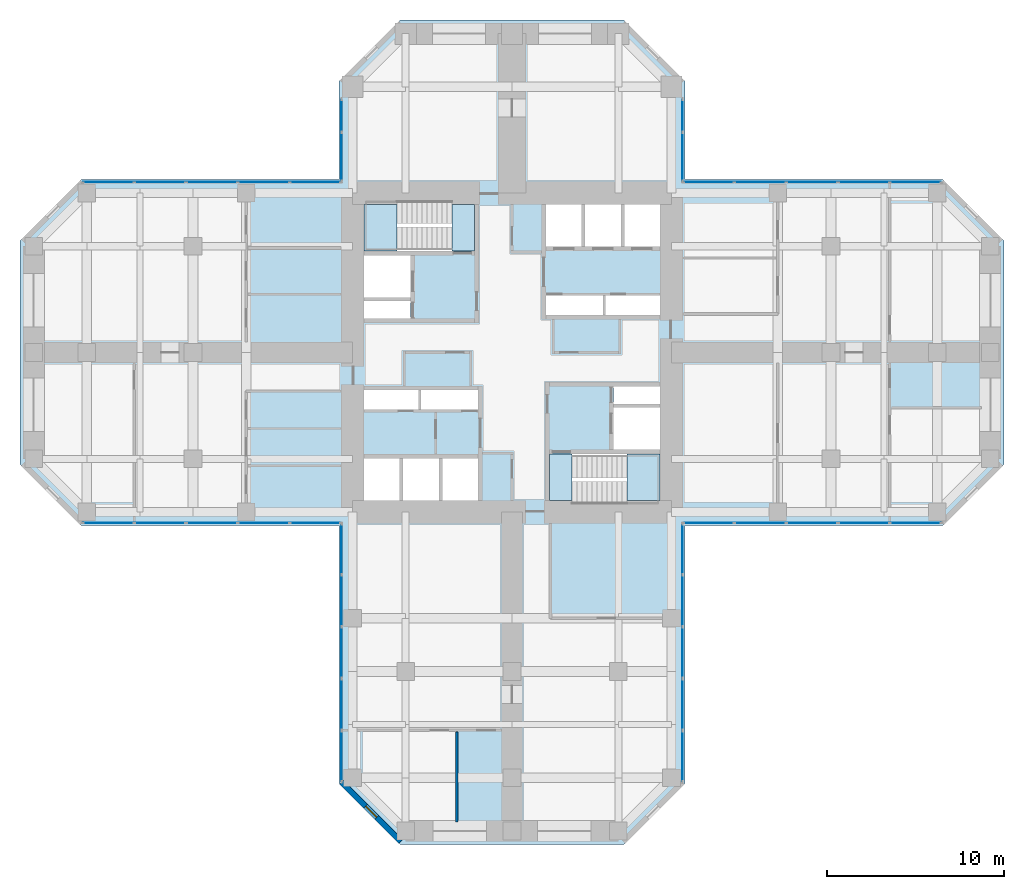
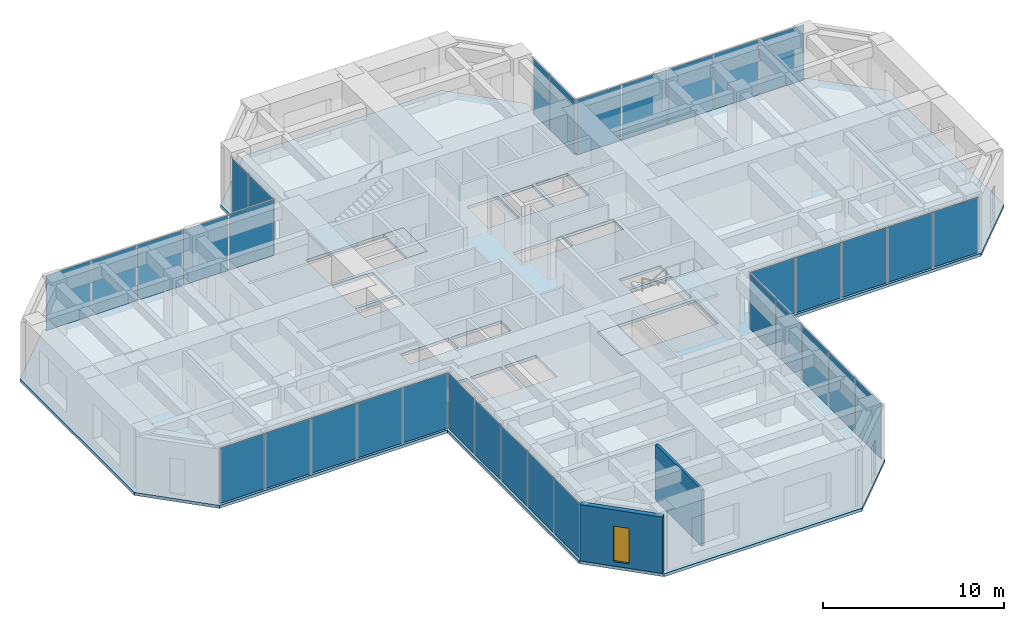
# One storey, part 7 of 12: 34 plates, 5 slabs, 2 walls, 1 window, 1 opening, 10 elements without a shape of their own.
"""IFC4 building model written with IfcOpenShell, lengths in metres."""

from ifc_helpers import new_model, si_unit, direction, frame, frame_2d, origin, origin_2d, place, context, subcontext, project, spatial, polyline, rectangle, hollow_rectangle, outline, extrude, material, layer, layer_set, constituent, constituent_set, type_object, element, fill, aggregate, save


model = new_model("IFC4")

# Units and contexts
model_context = context("Model", 3, precision=1e-05, world=origin(), true_north=direction((0.0, 1.0)))
body_context = subcontext(model_context, "Body", "Model", "MODEL_VIEW")
ifc_project = project(units=[si_unit("LENGTHUNIT", "METRE"), si_unit("AREAUNIT", "SQUARE_METRE"), si_unit("VOLUMEUNIT", "CUBIC_METRE"), si_unit("PLANEANGLEUNIT", "RADIAN"), si_unit("MASSUNIT", "GRAM", prefix="KILO")], contexts=[model_context])

# Site, building, storey
site_placement = place(None, origin())
site = spatial("IfcSite", under=ifc_project, at=site_placement, CompositionType="ELEMENT")
building_placement = place(site_placement, origin())
building = spatial("IfcBuilding", under=site, at=building_placement, Name="Torre Cruceta", CompositionType="ELEMENT")
storey_placement = place(building_placement, frame((0.0, 0.0, 112.5)))
storey = spatial("IfcBuildingStorey", under=building, at=storey_placement, Name="L27", CompositionType="ELEMENT", Elevation=112.5)

# Curtain wall, plate
ifc_material_1 = material(Name="Aluminium unitised curtain wall", Category="aluminium")
curtain_wall_type = type_object("IfcCurtainWallType", Name="CURTAIN WALL CW-B OFFICE MID RISE", PredefinedType="USERDEFINED", material=ifc_material_1)
curtain_wall_1_placement = place(storey_placement, origin())
curtain_wall_1 = element("IfcCurtainWall", 1, at=curtain_wall_1_placement, inside=storey, type_object=curtain_wall_type, Name="CW-B L27 E side 00", ObjectType="UNITISED", PredefinedType="USERDEFINED")
ifc_material_2 = material(Name="Laminated insulating glass unit, diagonal frit 50 %", Category="glass")
ifc_material_3 = material(Name="Laminated insulating glass unit, diagonal frit 50 %", Category="glass")
ifc_layer_1 = layer(ifc_material_3, 0.031982421875)
ifc_layer_set_1 = layer_set([ifc_layer_1], Name="Laminated insulating glass unit, diagonal frit 50 %")
plate_type_1 = type_object("IfcPlateType", Name="CW-B OPERABLE VENT PANEL 32", PredefinedType="CURTAIN_PANEL", material=ifc_layer_set_1)
plate_1_placement = place(storey_placement, frame((16.9384765625, -9.6201171875, 0.010009765625), z_axis=(0.0, 0.0, 1.0), x_axis=(1.0, 0.0, 0.0)))
plate_1 = element("IfcPlate", 2, at=plate_1_placement, type_object=plate_type_1, material=ifc_material_2, Name="CW-B vent 3", PredefinedType="CURTAIN_PANEL", context=body_context, shape_type="SweptSolid", body=[
    extrude(rectangle(XDim=2.8623046875, YDim=0.031982421875, at=origin_2d()), origin(), (0.0, 0.0, 1.0), 3.72509765625),
])

curtain_wall_2_placement = place(storey_placement, origin())
curtain_wall_2 = element("IfcCurtainWall", 3, at=curtain_wall_2_placement, inside=storey, type_object=curtain_wall_type, Name="CW-B L27 E side 04", ObjectType="UNITISED", PredefinedType="USERDEFINED")
plate_2_placement = place(storey_placement, frame((16.9384765625, 9.6201171875, 0.010009765625), z_axis=(0.0, 0.0, 1.0), x_axis=(-1.0, 0.0, 0.0)))
plate_2 = element("IfcPlate", 4, at=plate_2_placement, type_object=plate_type_1, material=ifc_material_2, Name="CW-B vent 3", PredefinedType="CURTAIN_PANEL", context=body_context, shape_type="SweptSolid", body=[
    extrude(rectangle(XDim=2.8623046875, YDim=0.031982421875, at=origin_2d()), origin(), (0.0, 0.0, 1.0), 3.72509765625),
])

curtain_wall_3_placement = place(storey_placement, origin())
curtain_wall_3 = element("IfcCurtainWall", 5, at=curtain_wall_3_placement, inside=storey, type_object=curtain_wall_type, Name="CW-B L27 W side 10", ObjectType="UNITISED", PredefinedType="USERDEFINED")
plate_3_placement = place(storey_placement, frame((-16.9384765625, 9.6201171875, 0.010009765625), z_axis=(0.0, 0.0, 1.0), x_axis=(-1.0, 0.0, 0.0)))
plate_3 = element("IfcPlate", 6, at=plate_3_placement, type_object=plate_type_1, material=ifc_material_2, Name="CW-B vent 3", PredefinedType="CURTAIN_PANEL", context=body_context, shape_type="SweptSolid", body=[
    extrude(rectangle(XDim=2.8623046875, YDim=0.031982421875, at=origin_2d()), origin(), (0.0, 0.0, 1.0), 3.72509765625),
])

curtain_wall_4_placement = place(storey_placement, origin())
curtain_wall_4 = element("IfcCurtainWall", 7, at=curtain_wall_4_placement, inside=storey, type_object=curtain_wall_type, Name="CW-B L27 W side 14", ObjectType="UNITISED", PredefinedType="USERDEFINED")
plate_4_placement = place(storey_placement, frame((-16.9384765625, -9.6201171875, 0.010009765625), z_axis=(0.0, 0.0, 1.0), x_axis=(1.0, 0.0, 0.0)))
plate_4 = element("IfcPlate", 8, at=plate_4_placement, type_object=plate_type_1, material=ifc_material_2, Name="CW-B vent 3", PredefinedType="CURTAIN_PANEL", context=body_context, shape_type="SweptSolid", body=[
    extrude(rectangle(XDim=2.8623046875, YDim=0.031982421875, at=origin_2d()), origin(), (0.0, 0.0, 1.0), 3.72509765625),
])

curtain_wall_5_placement = place(storey_placement, origin())
curtain_wall_5 = element("IfcCurtainWall", 9, at=curtain_wall_5_placement, inside=storey, type_object=curtain_wall_type, Name="CW-B L27 S side 15", ObjectType="UNITISED", PredefinedType="USERDEFINED")
plate_5_placement = place(storey_placement, frame((-9.6201171875, -16.9384765625, 0.010009765625), z_axis=(0.0, 0.0, 1.0), x_axis=(0.0, -1.0, 0.0)))
plate_5 = element("IfcPlate", 10, at=plate_5_placement, type_object=plate_type_1, material=ifc_material_2, Name="CW-B vent 3", PredefinedType="CURTAIN_PANEL", context=body_context, shape_type="SweptSolid", body=[
    extrude(rectangle(XDim=2.8623046875, YDim=0.031982421875, at=origin_2d()), origin(), (0.0, 0.0, 1.0), 3.72509765625),
])

curtain_wall_6_placement = place(storey_placement, origin())
curtain_wall_6 = element("IfcCurtainWall", 11, at=curtain_wall_6_placement, inside=storey, type_object=curtain_wall_type, Name="CW-B L27 S side 19", ObjectType="UNITISED", PredefinedType="USERDEFINED")
plate_6_placement = place(storey_placement, frame((9.6201171875, -16.9384765625, 0.010009765625), z_axis=(0.0, 0.0, 1.0), x_axis=(0.0, 1.0, 0.0)))
plate_6 = element("IfcPlate", 12, at=plate_6_placement, type_object=plate_type_1, material=ifc_material_2, Name="CW-B vent 3", PredefinedType="CURTAIN_PANEL", context=body_context, shape_type="SweptSolid", body=[
    extrude(rectangle(XDim=2.8623046875, YDim=0.031982421875, at=origin_2d()), origin(), (0.0, 0.0, 1.0), 3.72509765625),
])

# Plate
ifc_material_4 = material(Name="Laminated insulating glass unit, diagonal frit 50 %", Category="glass")
ifc_layer_2 = layer(ifc_material_4, 0.031982421875)
ifc_layer_set_2 = layer_set([ifc_layer_2], Name="Laminated insulating glass unit, diagonal frit 50 %")
plate_type_2 = type_object("IfcPlateType", Name="CW-B PANEL 32", PredefinedType="CURTAIN_PANEL", material=ifc_layer_set_2)
plate_7_placement = place(storey_placement, frame((11.099853515625, -9.6201171875, 0.010009765625), z_axis=(0.0, 0.0, 1.0), x_axis=(1.0, 0.0, 0.0)))
plate_7 = element("IfcPlate", 13, at=plate_7_placement, type_object=plate_type_2, material=ifc_material_2, Name="CW-B panel 1", PredefinedType="CURTAIN_PANEL", context=body_context, shape_type="SweptSolid", body=[
    extrude(rectangle(XDim=2.829833984375, YDim=0.031982421875, at=origin_2d()), origin(), (0.0, 0.0, 1.0), 3.72509765625),
])

plate_8_placement = place(storey_placement, frame((14.010986328125, -9.6201171875, 0.010009765625), z_axis=(0.0, 0.0, 1.0), x_axis=(1.0, 0.0, 0.0)))
plate_8 = element("IfcPlate", 14, at=plate_8_placement, type_object=plate_type_2, material=ifc_material_2, Name="CW-B panel 2", PredefinedType="CURTAIN_PANEL", context=body_context, shape_type="SweptSolid", body=[
    extrude(rectangle(XDim=2.8623046875, YDim=0.031982421875, at=origin_2d()), origin(), (0.0, 0.0, 1.0), 3.72509765625),
])

ifc_material_5 = material(Name="Laminated insulating glass unit, low-iron clear", Category="glass")
plate_9_placement = place(storey_placement, frame((19.86572265625, -9.6201171875, 0.010009765625), z_axis=(0.0, 0.0, 1.0), x_axis=(1.0, 0.0, 0.0)))
plate_9 = element("IfcPlate", 15, at=plate_9_placement, type_object=plate_type_2, material=ifc_material_5, Name="CW-B panel 4", PredefinedType="CURTAIN_PANEL", context=body_context, shape_type="SweptSolid", body=[
    extrude(rectangle(XDim=2.8623046875, YDim=0.031982421875, at=origin_2d()), origin(), (0.0, 0.0, 1.0), 3.72509765625),
])

plate_10_placement = place(storey_placement, frame((22.77685546875, -9.6201171875, 0.010009765625), z_axis=(0.0, 0.0, 1.0), x_axis=(1.0, 0.0, 0.0)))
plate_10 = element("IfcPlate", 16, at=plate_10_placement, type_object=plate_type_2, material=ifc_material_5, Name="CW-B panel 5", PredefinedType="CURTAIN_PANEL", context=body_context, shape_type="SweptSolid", body=[
    extrude(rectangle(XDim=2.829833984375, YDim=0.031982421875, at=origin_2d()), origin(), (0.0, 0.0, 1.0), 3.72509765625),
])

aggregate(curtain_wall_1, [plate_7, plate_8, plate_1, plate_9, plate_10])

plate_11_placement = place(storey_placement, frame((22.77685546875, 9.6201171875, 0.010009765625), z_axis=(0.0, 0.0, 1.0), x_axis=(-1.0, 0.0, 0.0)))
plate_11 = element("IfcPlate", 17, at=plate_11_placement, type_object=plate_type_2, material=ifc_material_2, Name="CW-B panel 1", PredefinedType="CURTAIN_PANEL", context=body_context, shape_type="SweptSolid", body=[
    extrude(rectangle(XDim=2.829833984375, YDim=0.031982421875, at=origin_2d()), origin(), (0.0, 0.0, 1.0), 3.72509765625),
])

plate_12_placement = place(storey_placement, frame((19.86572265625, 9.6201171875, 0.010009765625), z_axis=(0.0, 0.0, 1.0), x_axis=(-1.0, 0.0, 0.0)))
plate_12 = element("IfcPlate", 18, at=plate_12_placement, type_object=plate_type_2, material=ifc_material_2, Name="CW-B panel 2", PredefinedType="CURTAIN_PANEL", context=body_context, shape_type="SweptSolid", body=[
    extrude(rectangle(XDim=2.8623046875, YDim=0.031982421875, at=origin_2d()), origin(), (0.0, 0.0, 1.0), 3.72509765625),
])

plate_13_placement = place(storey_placement, frame((14.010986328125, 9.6201171875, 0.010009765625), z_axis=(0.0, 0.0, 1.0), x_axis=(-1.0, 0.0, 0.0)))
plate_13 = element("IfcPlate", 19, at=plate_13_placement, type_object=plate_type_2, material=ifc_material_5, Name="CW-B panel 4", PredefinedType="CURTAIN_PANEL", context=body_context, shape_type="SweptSolid", body=[
    extrude(rectangle(XDim=2.8623046875, YDim=0.031982421875, at=origin_2d()), origin(), (0.0, 0.0, 1.0), 3.72509765625),
])

plate_14_placement = place(storey_placement, frame((11.099853515625, 9.6201171875, 0.010009765625), z_axis=(0.0, 0.0, 1.0), x_axis=(-1.0, 0.0, 0.0)))
plate_14 = element("IfcPlate", 20, at=plate_14_placement, type_object=plate_type_2, material=ifc_material_5, Name="CW-B panel 5", PredefinedType="CURTAIN_PANEL", context=body_context, shape_type="SweptSolid", body=[
    extrude(rectangle(XDim=2.829833984375, YDim=0.031982421875, at=origin_2d()), origin(), (0.0, 0.0, 1.0), 3.72509765625),
])

aggregate(curtain_wall_2, [plate_11, plate_12, plate_2, plate_13, plate_14])

# Curtain wall, plates
curtain_wall_7_placement = place(storey_placement, origin())
curtain_wall_7 = element("IfcCurtainWall", 21, at=curtain_wall_7_placement, inside=storey, type_object=curtain_wall_type, Name="CW-B L27 N side 05", ObjectType="UNITISED", PredefinedType="USERDEFINED")
plate_15_placement = place(storey_placement, frame((9.6201171875, 11.04541015625, 0.010009765625), z_axis=(0.0, 0.0, 1.0), x_axis=(0.0, 1.0, 0.0)))
plate_15 = element("IfcPlate", 22, at=plate_15_placement, type_object=plate_type_2, material=ifc_material_2, Name="CW-B panel 1", PredefinedType="CURTAIN_PANEL", context=body_context, shape_type="SweptSolid", body=[
    extrude(rectangle(XDim=2.720947265625, YDim=0.031982421875, at=origin_2d()), origin(), (0.0, 0.0, 1.0), 3.72509765625),
])
plate_16_placement = place(storey_placement, frame((9.6201171875, 13.373779296875, 0.010009765625), z_axis=(0.0, 0.0, 1.0), x_axis=(0.0, 1.0, 0.0)))
plate_16 = element("IfcPlate", 23, at=plate_16_placement, type_object=plate_type_2, material=ifc_material_2, Name="CW-B panel 2", PredefinedType="CURTAIN_PANEL", context=body_context, shape_type="SweptSolid", body=[
    extrude(rectangle(XDim=1.8056640625, YDim=0.031982421875, at=origin_2d()), origin(), (0.0, 0.0, 1.0), 3.72509765625),
])
aggregate(curtain_wall_7, [plate_15, plate_16])

curtain_wall_8_placement = place(storey_placement, origin())
curtain_wall_8 = element("IfcCurtainWall", 24, at=curtain_wall_8_placement, inside=storey, type_object=curtain_wall_type, Name="CW-B L27 N side 09", ObjectType="UNITISED", PredefinedType="USERDEFINED")
plate_17_placement = place(storey_placement, frame((-9.6201171875, 13.373779296875, 0.010009765625), z_axis=(0.0, 0.0, 1.0), x_axis=(0.0, -1.0, 0.0)))
plate_17 = element("IfcPlate", 25, at=plate_17_placement, type_object=plate_type_2, material=ifc_material_2, Name="CW-B panel 1", PredefinedType="CURTAIN_PANEL", context=body_context, shape_type="SweptSolid", body=[
    extrude(rectangle(XDim=1.8056640625, YDim=0.031982421875, at=origin_2d()), origin(), (0.0, 0.0, 1.0), 3.72509765625),
])
plate_18_placement = place(storey_placement, frame((-9.6201171875, 11.04541015625, 0.010009765625), z_axis=(0.0, 0.0, 1.0), x_axis=(0.0, -1.0, 0.0)))
plate_18 = element("IfcPlate", 26, at=plate_18_placement, type_object=plate_type_2, material=ifc_material_2, Name="CW-B panel 2", PredefinedType="CURTAIN_PANEL", context=body_context, shape_type="SweptSolid", body=[
    extrude(rectangle(XDim=2.720947265625, YDim=0.031982421875, at=origin_2d()), origin(), (0.0, 0.0, 1.0), 3.72509765625),
])
aggregate(curtain_wall_8, [plate_17, plate_18])

# Plate
plate_19_placement = place(storey_placement, frame((-11.099853515625, 9.6201171875, 0.010009765625), z_axis=(0.0, 0.0, 1.0), x_axis=(-1.0, 0.0, 0.0)))
plate_19 = element("IfcPlate", 27, at=plate_19_placement, type_object=plate_type_2, material=ifc_material_2, Name="CW-B panel 1", PredefinedType="CURTAIN_PANEL", context=body_context, shape_type="SweptSolid", body=[
    extrude(rectangle(XDim=2.829833984375, YDim=0.031982421875, at=origin_2d()), origin(), (0.0, 0.0, 1.0), 3.72509765625),
])

plate_20_placement = place(storey_placement, frame((-14.010986328125, 9.6201171875, 0.010009765625), z_axis=(0.0, 0.0, 1.0), x_axis=(-1.0, 0.0, 0.0)))
plate_20 = element("IfcPlate", 28, at=plate_20_placement, type_object=plate_type_2, material=ifc_material_2, Name="CW-B panel 2", PredefinedType="CURTAIN_PANEL", context=body_context, shape_type="SweptSolid", body=[
    extrude(rectangle(XDim=2.8623046875, YDim=0.031982421875, at=origin_2d()), origin(), (0.0, 0.0, 1.0), 3.72509765625),
])

plate_21_placement = place(storey_placement, frame((-19.86572265625, 9.6201171875, 0.010009765625), z_axis=(0.0, 0.0, 1.0), x_axis=(-1.0, 0.0, 0.0)))
plate_21 = element("IfcPlate", 29, at=plate_21_placement, type_object=plate_type_2, material=ifc_material_5, Name="CW-B panel 4", PredefinedType="CURTAIN_PANEL", context=body_context, shape_type="SweptSolid", body=[
    extrude(rectangle(XDim=2.8623046875, YDim=0.031982421875, at=origin_2d()), origin(), (0.0, 0.0, 1.0), 3.72509765625),
])

plate_22_placement = place(storey_placement, frame((-22.77685546875, 9.6201171875, 0.010009765625), z_axis=(0.0, 0.0, 1.0), x_axis=(-1.0, 0.0, 0.0)))
plate_22 = element("IfcPlate", 30, at=plate_22_placement, type_object=plate_type_2, material=ifc_material_5, Name="CW-B panel 5", PredefinedType="CURTAIN_PANEL", context=body_context, shape_type="SweptSolid", body=[
    extrude(rectangle(XDim=2.829833984375, YDim=0.031982421875, at=origin_2d()), origin(), (0.0, 0.0, 1.0), 3.72509765625),
])

aggregate(curtain_wall_3, [plate_19, plate_20, plate_3, plate_21, plate_22])

plate_23_placement = place(storey_placement, frame((-22.77685546875, -9.6201171875, 0.010009765625), z_axis=(0.0, 0.0, 1.0), x_axis=(1.0, 0.0, 0.0)))
plate_23 = element("IfcPlate", 31, at=plate_23_placement, type_object=plate_type_2, material=ifc_material_2, Name="CW-B panel 1", PredefinedType="CURTAIN_PANEL", context=body_context, shape_type="SweptSolid", body=[
    extrude(rectangle(XDim=2.829833984375, YDim=0.031982421875, at=origin_2d()), origin(), (0.0, 0.0, 1.0), 3.72509765625),
])

plate_24_placement = place(storey_placement, frame((-19.86572265625, -9.6201171875, 0.010009765625), z_axis=(0.0, 0.0, 1.0), x_axis=(1.0, 0.0, 0.0)))
plate_24 = element("IfcPlate", 32, at=plate_24_placement, type_object=plate_type_2, material=ifc_material_2, Name="CW-B panel 2", PredefinedType="CURTAIN_PANEL", context=body_context, shape_type="SweptSolid", body=[
    extrude(rectangle(XDim=2.8623046875, YDim=0.031982421875, at=origin_2d()), origin(), (0.0, 0.0, 1.0), 3.72509765625),
])

plate_25_placement = place(storey_placement, frame((-14.010986328125, -9.6201171875, 0.010009765625), z_axis=(0.0, 0.0, 1.0), x_axis=(1.0, 0.0, 0.0)))
plate_25 = element("IfcPlate", 33, at=plate_25_placement, type_object=plate_type_2, material=ifc_material_5, Name="CW-B panel 4", PredefinedType="CURTAIN_PANEL", context=body_context, shape_type="SweptSolid", body=[
    extrude(rectangle(XDim=2.8623046875, YDim=0.031982421875, at=origin_2d()), origin(), (0.0, 0.0, 1.0), 3.72509765625),
])

plate_26_placement = place(storey_placement, frame((-11.099853515625, -9.6201171875, 0.010009765625), z_axis=(0.0, 0.0, 1.0), x_axis=(1.0, 0.0, 0.0)))
plate_26 = element("IfcPlate", 34, at=plate_26_placement, type_object=plate_type_2, material=ifc_material_5, Name="CW-B panel 5", PredefinedType="CURTAIN_PANEL", context=body_context, shape_type="SweptSolid", body=[
    extrude(rectangle(XDim=2.829833984375, YDim=0.031982421875, at=origin_2d()), origin(), (0.0, 0.0, 1.0), 3.72509765625),
])

aggregate(curtain_wall_4, [plate_23, plate_24, plate_4, plate_25, plate_26])

plate_27_placement = place(storey_placement, frame((-9.6201171875, -11.099853515625, 0.010009765625), z_axis=(0.0, 0.0, 1.0), x_axis=(0.0, -1.0, 0.0)))
plate_27 = element("IfcPlate", 35, at=plate_27_placement, type_object=plate_type_2, material=ifc_material_2, Name="CW-B panel 1", PredefinedType="CURTAIN_PANEL", context=body_context, shape_type="SweptSolid", body=[
    extrude(rectangle(XDim=2.829833984375, YDim=0.031982421875, at=origin_2d()), origin(), (0.0, 0.0, 1.0), 3.72509765625),
])

plate_28_placement = place(storey_placement, frame((-9.6201171875, -14.010986328125, 0.010009765625), z_axis=(0.0, 0.0, 1.0), x_axis=(0.0, -1.0, 0.0)))
plate_28 = element("IfcPlate", 36, at=plate_28_placement, type_object=plate_type_2, material=ifc_material_2, Name="CW-B panel 2", PredefinedType="CURTAIN_PANEL", context=body_context, shape_type="SweptSolid", body=[
    extrude(rectangle(XDim=2.8623046875, YDim=0.031982421875, at=origin_2d()), origin(), (0.0, 0.0, 1.0), 3.72509765625),
])

plate_29_placement = place(storey_placement, frame((-9.6201171875, -19.86572265625, 0.010009765625), z_axis=(0.0, 0.0, 1.0), x_axis=(0.0, -1.0, 0.0)))
plate_29 = element("IfcPlate", 37, at=plate_29_placement, type_object=plate_type_2, material=ifc_material_5, Name="CW-B panel 4", PredefinedType="CURTAIN_PANEL", context=body_context, shape_type="SweptSolid", body=[
    extrude(rectangle(XDim=2.8623046875, YDim=0.031982421875, at=origin_2d()), origin(), (0.0, 0.0, 1.0), 3.72509765625),
])

plate_30_placement = place(storey_placement, frame((-9.6201171875, -22.77685546875, 0.010009765625), z_axis=(0.0, 0.0, 1.0), x_axis=(0.0, -1.0, 0.0)))
plate_30 = element("IfcPlate", 38, at=plate_30_placement, type_object=plate_type_2, material=ifc_material_5, Name="CW-B panel 5", PredefinedType="CURTAIN_PANEL", context=body_context, shape_type="SweptSolid", body=[
    extrude(rectangle(XDim=2.829833984375, YDim=0.031982421875, at=origin_2d()), origin(), (0.0, 0.0, 1.0), 3.72509765625),
])

aggregate(curtain_wall_5, [plate_27, plate_28, plate_5, plate_29, plate_30])

plate_31_placement = place(storey_placement, frame((9.6201171875, -22.77685546875, 0.010009765625), z_axis=(0.0, 0.0, 1.0), x_axis=(0.0, 1.0, 0.0)))
plate_31 = element("IfcPlate", 39, at=plate_31_placement, type_object=plate_type_2, material=ifc_material_2, Name="CW-B panel 1", PredefinedType="CURTAIN_PANEL", context=body_context, shape_type="SweptSolid", body=[
    extrude(rectangle(XDim=2.829833984375, YDim=0.031982421875, at=origin_2d()), origin(), (0.0, 0.0, 1.0), 3.72509765625),
])

plate_32_placement = place(storey_placement, frame((9.6201171875, -19.86572265625, 0.010009765625), z_axis=(0.0, 0.0, 1.0), x_axis=(0.0, 1.0, 0.0)))
plate_32 = element("IfcPlate", 40, at=plate_32_placement, type_object=plate_type_2, material=ifc_material_2, Name="CW-B panel 2", PredefinedType="CURTAIN_PANEL", context=body_context, shape_type="SweptSolid", body=[
    extrude(rectangle(XDim=2.8623046875, YDim=0.031982421875, at=origin_2d()), origin(), (0.0, 0.0, 1.0), 3.72509765625),
])

plate_33_placement = place(storey_placement, frame((9.6201171875, -14.010986328125, 0.010009765625), z_axis=(0.0, 0.0, 1.0), x_axis=(0.0, 1.0, 0.0)))
plate_33 = element("IfcPlate", 41, at=plate_33_placement, type_object=plate_type_2, material=ifc_material_5, Name="CW-B panel 4", PredefinedType="CURTAIN_PANEL", context=body_context, shape_type="SweptSolid", body=[
    extrude(rectangle(XDim=2.8623046875, YDim=0.031982421875, at=origin_2d()), origin(), (0.0, 0.0, 1.0), 3.72509765625),
])

plate_34_placement = place(storey_placement, frame((9.6201171875, -11.099853515625, 0.010009765625), z_axis=(0.0, 0.0, 1.0), x_axis=(0.0, 1.0, 0.0)))
plate_34 = element("IfcPlate", 42, at=plate_34_placement, type_object=plate_type_2, material=ifc_material_5, Name="CW-B panel 5", PredefinedType="CURTAIN_PANEL", context=body_context, shape_type="SweptSolid", body=[
    extrude(rectangle(XDim=2.829833984375, YDim=0.031982421875, at=origin_2d()), origin(), (0.0, 0.0, 1.0), 3.72509765625),
])

aggregate(curtain_wall_6, [plate_31, plate_32, plate_6, plate_33, plate_34])

# Slab
ifc_material_6 = material(Name="Concrete G35 (fck 35 MPa)", Category="concrete")
ifc_layer_3 = layer(ifc_material_6, 0.199951171875)
ifc_layer_set_3 = layer_set([ifc_layer_3], Name="Concrete G35 (fck 35 MPa)")
slab_type_1 = type_object("IfcSlabType", Name="FLOOR SLAB 200", PredefinedType="FLOOR", material=ifc_layer_set_3)
slab_1_placement = place(storey_placement, frame((0.0, 0.0, -0.199951171875)))
element("IfcSlab", 43, at=slab_1_placement, inside=storey, type_object=slab_type_1, Name="Floor Slab L27", PredefinedType="FLOOR", context=body_context, shape_type="SweptSolid", body=[
    extrude(outline(polyline([(9.77001953125, -9.77001953125), (9.77001953125, -24.31884765625), (6.31884765625, -27.77001953125), (-6.31884765625, -27.77001953125), (-9.77001953125, -24.31884765625), (-9.77001953125, -9.77001953125), (-24.31884765625, -9.77001953125), (-27.77001953125, -6.31884765625), (-27.77001953125, 6.31884765625), (-24.31884765625, 9.77001953125), (-9.77001953125, 9.77001953125), (-9.77001953125, 15.31884765625), (-6.31884765625, 18.77001953125), (6.31884765625, 18.77001953125), (9.77001953125, 15.31884765625), (9.77001953125, 9.77001953125), (24.31884765625, 9.77001953125), (27.77001953125, 6.31884765625), (27.77001953125, -6.31884765625), (24.31884765625, -9.77001953125), (9.77001953125, -9.77001953125)]), holes=[polyline([(1.925048828125, 5.97509765625), (3.933349609375, 5.97509765625), (3.933349609375, 8.35009765625), (1.925048828125, 8.35009765625), (1.925048828125, 5.97509765625)]), polyline([(4.13330078125, 5.97509765625), (6.1416015625, 5.97509765625), (6.1416015625, 8.35009765625), (4.13330078125, 8.35009765625), (4.13330078125, 5.97509765625)]), polyline([(6.341552734375, 5.97509765625), (8.35009765625, 5.97509765625), (8.35009765625, 8.35009765625), (6.341552734375, 8.35009765625), (6.341552734375, 5.97509765625)]), polyline([(1.925048828125, 2.125), (5.125, 2.125), (5.125, 3.22509765625), (1.925048828125, 3.22509765625), (1.925048828125, 2.125)]), polyline([(5.27490234375, 2.125), (8.35009765625, 2.125), (8.35009765625, 3.22509765625), (5.27490234375, 3.22509765625), (5.27490234375, 2.125)]), polyline([(-8.35009765625, 3.10009765625), (-5.72509765625, 3.10009765625), (-5.72509765625, 5.47509765625), (-8.35009765625, 5.47509765625), (-8.35009765625, 3.10009765625)]), polyline([(-8.35009765625, 1.925048828125), (-5.72509765625, 1.925048828125), (-5.72509765625, 2.89990234375), (-8.35009765625, 2.89990234375), (-8.35009765625, 1.925048828125)]), polyline([(-3.933349609375, -8.35009765625), (-1.925048828125, -8.35009765625), (-1.925048828125, -5.97509765625), (-3.933349609375, -5.97509765625), (-3.933349609375, -8.35009765625)]), polyline([(-6.1416015625, -8.35009765625), (-4.13330078125, -8.35009765625), (-4.13330078125, -5.97509765625), (-6.1416015625, -5.97509765625), (-6.1416015625, -8.35009765625)]), polyline([(-8.35009765625, -8.35009765625), (-6.341552734375, -8.35009765625), (-6.341552734375, -5.97509765625), (-8.35009765625, -5.97509765625), (-8.35009765625, -8.35009765625)]), polyline([(-5.125, -3.22509765625), (-1.925048828125, -3.22509765625), (-1.925048828125, -2.125), (-5.125, -2.125), (-5.125, -3.22509765625)]), polyline([(-8.35009765625, -3.22509765625), (-5.27490234375, -3.22509765625), (-5.27490234375, -2.125), (-8.35009765625, -2.125), (-8.35009765625, -3.22509765625)]), polyline([(5.72509765625, -5.47509765625), (8.35009765625, -5.47509765625), (8.35009765625, -3.10009765625), (5.72509765625, -3.10009765625), (5.72509765625, -5.47509765625)]), polyline([(5.72509765625, -2.89990234375), (8.35009765625, -2.89990234375), (8.35009765625, -1.925048828125), (5.72509765625, -1.925048828125), (5.72509765625, -2.89990234375)]), polyline([(-8.35009765625, 5.72509765625), (-8.35009765625, 8.35009765625), (-3.39990234375, 8.35009765625), (-2.125, 8.35009765625), (-2.125, 5.72509765625), (-3.39990234375, 5.72509765625), (-8.35009765625, 5.72509765625)]), polyline([(2.125, -5.72509765625), (3.39990234375, -5.72509765625), (8.35009765625, -5.72509765625), (8.35009765625, -8.35009765625), (3.39990234375, -8.35009765625), (2.125, -8.35009765625), (2.125, -5.72509765625)])]), origin(), (0.0, 0.0, 1.0), 0.199951171875),
])

# Stair, slab
ifc_material_7 = material(Name="Concrete G30 (fck 30 MPa)", Category="concrete")
stair_type = type_object("IfcStairType", Name="STAIR HALF-TURN 1300", PredefinedType="HALF_TURN_STAIR", material=ifc_material_7)
stair_1_placement = place(storey_placement, origin())
stair_1 = element("IfcStair", 44, at=stair_1_placement, inside=storey, type_object=stair_type, Name="Stair ST1 L27", PredefinedType="HALF_TURN_STAIR")
ifc_material_8 = material(Name="Concrete G30 (fck 30 MPa)", Category="concrete")
ifc_layer_4 = layer(ifc_material_8, 0.199951171875)
ifc_layer_set_4 = layer_set([ifc_layer_4], Name="Concrete G30 (fck 30 MPa)")
slab_type_2 = type_object("IfcSlabType", Name="STAIR LANDING 200", PredefinedType="LANDING", material=ifc_layer_set_4)
slab_2_placement = place(storey_placement, frame((0.0, 0.0, 1.800048828125)))
slab_2 = element("IfcSlab", 45, at=slab_2_placement, type_object=slab_type_2, Name="ST1 landing 1", PredefinedType="LANDING", context=body_context, shape_type="SweptSolid", body=[
    extrude(outline(polyline([(-8.35009765625, 5.72509765625), (-6.47998046875, 5.72509765625), (-6.47998046875, 8.35009765625), (-8.35009765625, 8.35009765625), (-8.35009765625, 5.72509765625)])), origin(), (0.0, 0.0, 1.0), 0.199951171875),
])
aggregate(stair_1, [slab_2])

stair_2_placement = place(storey_placement, origin())
stair_2 = element("IfcStair", 46, at=stair_2_placement, inside=storey, type_object=stair_type, Name="Stair ST2 L27", PredefinedType="HALF_TURN_STAIR")
slab_3_placement = place(storey_placement, frame((0.0, 0.0, 1.800048828125)))
slab_3 = element("IfcSlab", 47, at=slab_3_placement, type_object=slab_type_2, Name="ST2 landing 1", PredefinedType="LANDING", context=body_context, shape_type="SweptSolid", body=[
    extrude(outline(polyline([(6.47998046875, -8.35009765625), (8.35009765625, -8.35009765625), (8.35009765625, -5.72509765625), (6.47998046875, -5.72509765625), (6.47998046875, -8.35009765625)])), origin(), (0.0, 0.0, 1.0), 0.199951171875),
])
aggregate(stair_2, [slab_3])

# Slabs
slab_4_placement = place(storey_placement, frame((0.0, 0.0, -0.199951171875)))
element("IfcSlab", 48, at=slab_4_placement, inside=storey, type_object=slab_type_2, Name="Stair ST1 floor landing L27", PredefinedType="LANDING", context=body_context, shape_type="SweptSolid", body=[
    extrude(outline(polyline([(-2.125, 8.35009765625), (-2.125, 5.72509765625), (-3.39990234375, 5.72509765625), (-3.39990234375, 8.35009765625), (-2.125, 8.35009765625)])), origin(), (0.0, 0.0, 1.0), 0.199951171875),
])
slab_5_placement = place(storey_placement, frame((0.0, 0.0, -0.199951171875)))
element("IfcSlab", 49, at=slab_5_placement, inside=storey, type_object=slab_type_2, Name="Stair ST2 floor landing L27", PredefinedType="LANDING", context=body_context, shape_type="SweptSolid", body=[
    extrude(outline(polyline([(2.125, -8.35009765625), (2.125, -5.72509765625), (3.39990234375, -5.72509765625), (3.39990234375, -8.35009765625), (2.125, -8.35009765625)])), origin(), (0.0, 0.0, 1.0), 0.199951171875),
])

# Wall, opening, window
ifc_material_9 = material(Name="Concrete G30 (fck 30 MPa)", Category="concrete")
ifc_layer_5 = layer(ifc_material_9, 0.300048828125)
ifc_layer_set_5 = layer_set([ifc_layer_5], Name="Concrete G30 (fck 30 MPa)")
wall_type_1 = type_object("IfcWallType", Name="EXPOSED CONCRETE FACADE WALL 300", PredefinedType="SOLIDWALL", material=ifc_layer_set_5)
wall_1_placement = place(storey_placement, frame((-9.6201171875, -24.2568359375, 0.0), z_axis=(0.0, 0.0, 1.0), x_axis=(0.707106781187, -0.707106781187, 0.0)))
wall_1 = element("IfcWall", 50, at=wall_1_placement, inside=storey, type_object=wall_type_1, Name="EW1 facade wall L27 S chamfer 16", PredefinedType="SOLIDWALL", context=body_context, shape_type="SweptSolid", body=[
    extrude(rectangle(XDim=4.72802734375, YDim=0.300048828125, at=frame_2d((2.364013671875, 0.0))), origin(), (0.0, 0.0, 1.0), 3.800048828125),
])
opening_placement = place(wall_1_placement, frame((1.9140625, 0.0, 0.300048828125)))
opening = element("IfcOpeningElement", 51, at=opening_placement, cuts=wall_1, Name="Opening WN5", PredefinedType="OPENING", context=body_context, shape_type="SweptSolid", body=[
    extrude(rectangle(XDim=0.89990234375, YDim=2.39990234375, at=frame_2d((0.449951171875, 1.199951171875))), frame((0.0, 0.159912109375, 0.0), z_axis=(0.0, -1.0, 0.0), x_axis=(1.0, 0.0, 0.0)), (0.0, 0.0, 1.0), 0.320068359375),
])
ifc_material_10 = material(Name="Aluminium window frame", Category="aluminium")
ifc_constituent_1 = constituent(ifc_material_10, Name="Frame")
ifc_material_11 = material(Name="Laminated insulating glass unit, low-iron clear", Category="glass")
ifc_constituent_2 = constituent(ifc_material_11, Name="Glazing")
ifc_constituent_set = constituent_set(constituents=[ifc_constituent_1, ifc_constituent_2], Name="Aluminium window")
window_type = type_object("IfcWindowType", Name="CHAMFER SLOT WINDOW 900X2400", PartitioningType="SINGLE_PANEL", PredefinedType="WINDOW", material=ifc_constituent_set)
window_placement = place(opening_placement, origin())
window = element("IfcWindow", 52, at=window_placement, inside=storey, type_object=window_type, Name="WN5 L27 S 1", OverallHeight=2.39990234375, OverallWidth=0.89990234375, PartitioningType="SINGLE_PANEL", PredefinedType="WINDOW", context=body_context, shape_type="SweptSolid", body=[
    extrude(hollow_rectangle(XDim=0.89990234375, YDim=2.39990234375, WallThickness=0.06005859375, at=frame_2d((0.449951171875, 1.199951171875))), frame((0.0, 0.030029296875, 0.0), z_axis=(0.0, -1.0, 0.0), x_axis=(1.0, 0.0, 0.0)), (0.0, 0.0, 1.0), 0.06005859375),
    extrude(rectangle(XDim=0.77880859375, YDim=2.27880859375, at=frame_2d((0.449951171875, 1.199951171875))), frame((0.0, 0.030029296875, 0.0), z_axis=(0.0, -1.0, 0.0), x_axis=(1.0, 0.0, 0.0)), (0.0, 0.0, 1.0), 0.06005859375),
])
fill(opening, window)

# Wall
ifc_material_12 = material(Name="Plasterboard on steel studs", Category="steel")
ifc_layer_6 = layer(ifc_material_12, 0.14990234375)
ifc_layer_set_6 = layer_set([ifc_layer_6], Name="Plasterboard on steel studs")
wall_type_2 = type_object("IfcWallType", Name="PARTITION 150", PredefinedType="PARTITIONING", material=ifc_layer_set_6)
wall_2_placement = place(storey_placement, frame((-3.117919921875, -21.419921875, 0.0), z_axis=(0.0, 0.0, 1.0), x_axis=(0.0, -1.0, 0.0)))
element("IfcWall", 53, at=wall_2_placement, inside=storey, type_object=wall_type_2, Name="PT1 L27-S-TDR", PredefinedType="PARTITIONING", context=body_context, shape_type="SweptSolid", body=[
    extrude(rectangle(XDim=5.080078125, YDim=0.14990234375, at=frame_2d((2.5400390625, 0.0))), origin(), (0.0, 0.0, 1.0), 3.800048828125),
])

save(model, "model.ifc")
